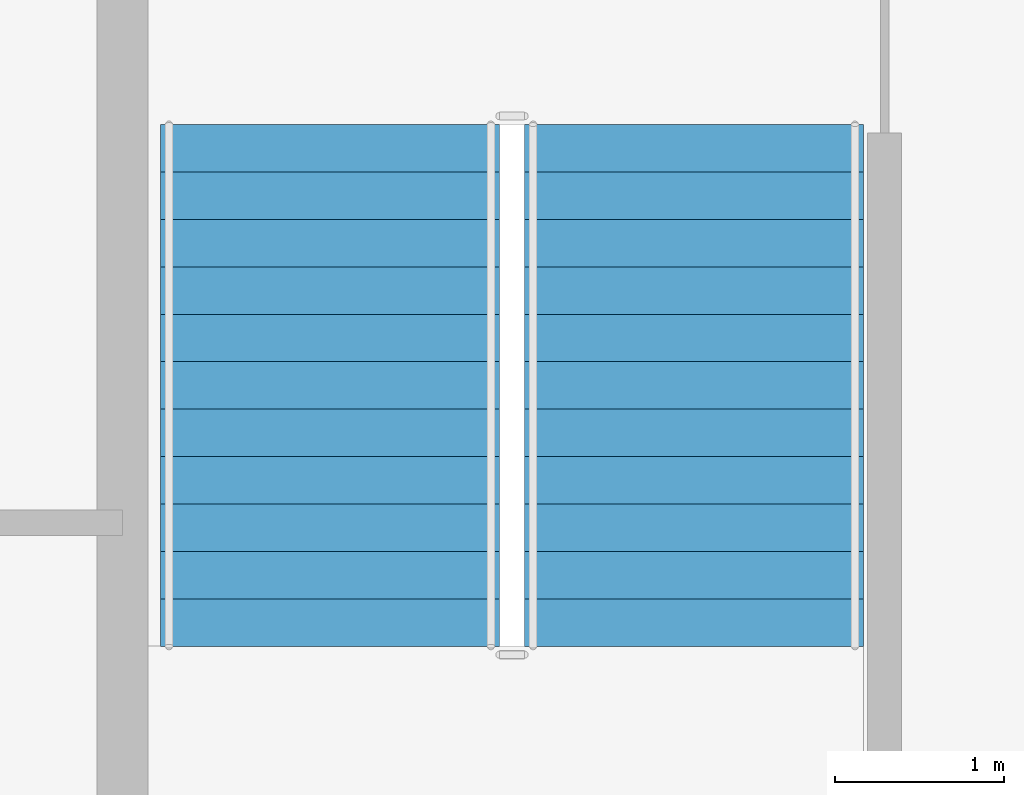
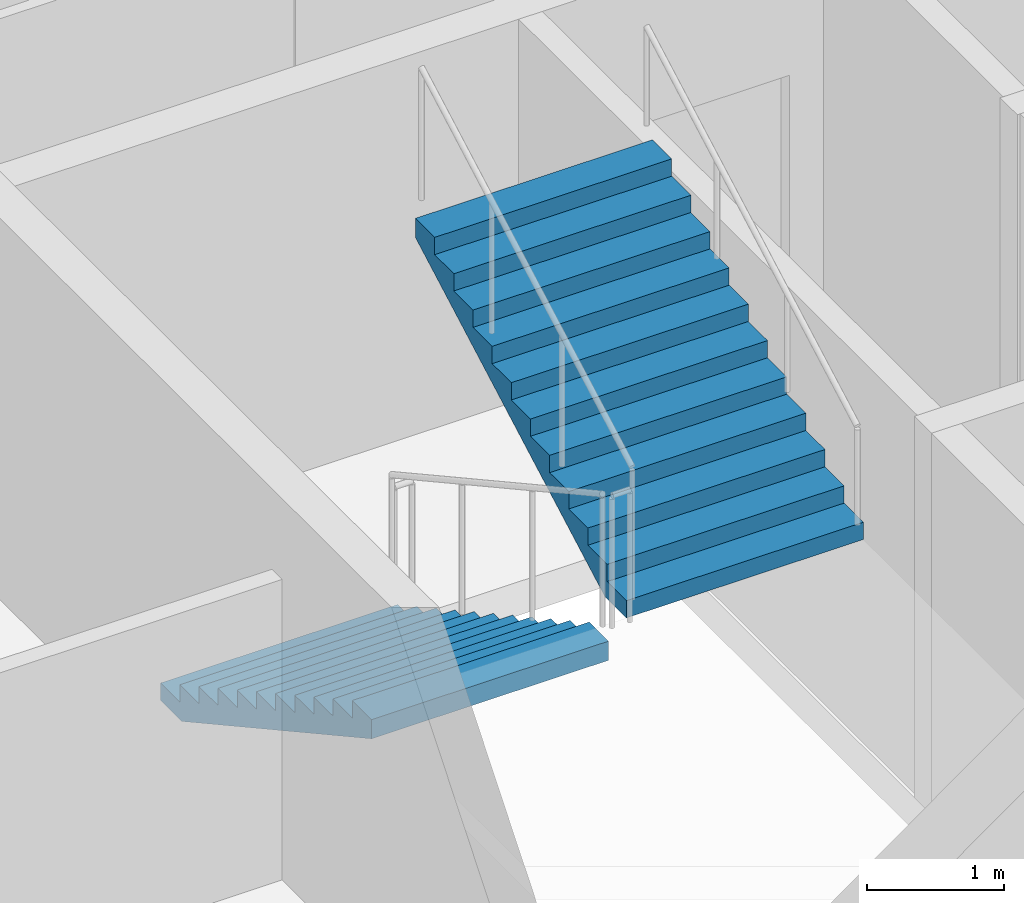
# One storey, part 8 of 12: 2 stair flights, 1 element without a shape of its own.
"""IFC4 building model written with IfcOpenShell, lengths in metres."""

from ifc_helpers import new_model, si_unit, direction, frame, origin, place, context, subcontext, project, spatial, polygons, material, type_object, element, aggregate, save


model = new_model("IFC4")

# Units and contexts
model_context = context("Model", 3, precision=1e-05, world=origin(), true_north=direction((0.0, 1.0)))
body_context = subcontext(model_context, "Body", "Model", "MODEL_VIEW")
ifc_project = project(units=[si_unit("LENGTHUNIT", "METRE"), si_unit("AREAUNIT", "SQUARE_METRE"), si_unit("VOLUMEUNIT", "CUBIC_METRE"), si_unit("PLANEANGLEUNIT", "RADIAN"), si_unit("MASSUNIT", "GRAM", prefix="KILO")], contexts=[model_context])

# Site, building, storey
site_placement = place(None, origin())
site = spatial("IfcSite", under=ifc_project, at=site_placement, CompositionType="ELEMENT")
building_placement = place(site_placement, origin())
building = spatial("IfcBuilding", under=site, at=building_placement, Name="Caravel Reach Hotel and Residences", CompositionType="ELEMENT")
storey_placement = place(building_placement, frame((0.0, 0.0, 241.60009765625)))
storey = spatial("IfcBuildingStorey", under=building, at=storey_placement, Name="L61", CompositionType="ELEMENT", Elevation=241.60009765625)

# Stair, stair flights
ifc_material_1 = material(Name="Concrete C40", Category="concrete")
stair_type = type_object("IfcStairType", Name="Core stair", PredefinedType="HALF_TURN_STAIR", material=ifc_material_1)
stair_placement = place(storey_placement, origin())
stair = element("IfcStair", 1, at=stair_placement, inside=storey, type_object=stair_type, Name="L61 Exit stair A", PredefinedType="HALF_TURN_STAIR")
ifc_material_2 = material(Name="Concrete C40", Category="concrete")
stair_flight_type = type_object("IfcStairFlightType", Name="Core stair flight", PredefinedType="STRAIGHT", material=ifc_material_2)
stair_flight_1_placement = place(storey_placement, frame((19.22509765625, 29.35009765625, 0.0), z_axis=(0.0, 0.0, 1.0), x_axis=(0.0, -1.0, 0.0)))
stair_flight_1 = element("IfcStairFlight", 2, at=stair_flight_1_placement, type_object=stair_flight_type, Name="ST-A flight 1", NumberOfRisers=12, NumberOfTreads=11, PredefinedType="STRAIGHT", RiserHeight=0.154166667, TreadLength=0.28, context=body_context, shape_type="Tessellation", body=[
    polygons([(0.3107950034306102, 1.0, 0.0), (0.3107950034306102, 0.6666666666666667, 0.0), (0.3107950034306102, 0.33333333333333337, 0.0), (0.3107950034306102, 0.0, 0.0), (0.3107950034306102, -0.33333333333333326, 0.0), (0.3107950034306102, -0.6666666666666667, 0.0), (0.3107950034306102, -1.0, 0.0), (3.081, 1.0, 1.524711087717319), (3.081, 0.6666666666666667, 1.524711087717319), (3.081, 0.33333333333333337, 1.524711087717319), (3.081, 0.0, 1.524711087717319), (3.081, -0.33333333333333326, 1.524711087717319), (3.081, -0.6666666666666667, 1.524711087717319), (3.081, -1.0, 1.524711087717319), (3.081, 1.0, 1.695833337), (3.081, 0.6666666666666667, 1.695833337), (3.081, 0.33333333333333337, 1.695833337), (3.081, 0.0, 1.695833337), (3.081, -0.33333333333333326, 1.695833337), (3.081, -0.6666666666666667, 1.695833337), (3.081, -1.0, 1.695833337), (2.8000000000000003, 1.0, 1.695833337), (2.8000000000000003, 0.6666666666666667, 1.695833337), (2.8000000000000003, 0.33333333333333337, 1.695833337), (2.8000000000000003, 0.0, 1.695833337), (2.8000000000000003, -0.33333333333333326, 1.695833337), (2.8000000000000003, -0.6666666666666667, 1.695833337), (2.8000000000000003, -1.0, 1.695833337), (2.8000000000000003, 1.0, 1.5416666700000001), (2.8000000000000003, 0.6666666666666667, 1.5416666700000001), (2.8000000000000003, 0.33333333333333337, 1.5416666700000001), (2.8000000000000003, 0.0, 1.5416666700000001), (2.8000000000000003, -0.33333333333333326, 1.5416666700000001), (2.8000000000000003, -0.6666666666666667, 1.5416666700000001), (2.8000000000000003, -1.0, 1.5416666700000001), (2.5200000000000005, 1.0, 1.5416666700000001), (2.5200000000000005, 0.6666666666666667, 1.5416666700000001), (2.5200000000000005, 0.33333333333333337, 1.5416666700000001), (2.5200000000000005, 0.0, 1.5416666700000001), (2.5200000000000005, -0.33333333333333326, 1.5416666700000001), (2.5200000000000005, -0.6666666666666667, 1.5416666700000001), (2.5200000000000005, -1.0, 1.5416666700000001), (2.5200000000000005, 1.0, 1.387500003), (2.5200000000000005, 0.6666666666666667, 1.387500003), (2.5200000000000005, 0.33333333333333337, 1.387500003), (2.5200000000000005, 0.0, 1.387500003), (2.5200000000000005, -0.33333333333333326, 1.387500003), (2.5200000000000005, -0.6666666666666667, 1.387500003), (2.5200000000000005, -1.0, 1.387500003), (2.24, 1.0, 1.387500003), (2.24, 0.6666666666666667, 1.387500003), (2.24, 0.33333333333333337, 1.387500003), (2.24, 0.0, 1.387500003), (2.24, -0.33333333333333326, 1.387500003), (2.24, -0.6666666666666667, 1.387500003), (2.24, -1.0, 1.387500003), (2.24, 1.0, 1.233333336), (2.24, 0.6666666666666667, 1.233333336), (2.24, 0.33333333333333337, 1.233333336), (2.24, 0.0, 1.233333336), (2.24, -0.33333333333333326, 1.233333336), (2.24, -0.6666666666666667, 1.233333336), (2.24, -1.0, 1.233333336), (1.9600000000000002, 1.0, 1.233333336), (1.9600000000000002, 0.6666666666666667, 1.233333336), (1.9600000000000002, 0.33333333333333337, 1.233333336), (1.9600000000000002, 0.0, 1.233333336), (1.9600000000000002, -0.33333333333333326, 1.233333336), (1.9600000000000002, -0.6666666666666667, 1.233333336), (1.9600000000000002, -1.0, 1.233333336), (1.9600000000000002, 1.0, 1.0791666690000001), (1.9600000000000002, 0.6666666666666667, 1.0791666690000001), (1.9600000000000002, 0.33333333333333337, 1.0791666690000001), (1.9600000000000002, 0.0, 1.0791666690000001), (1.9600000000000002, -0.33333333333333326, 1.0791666690000001), (1.9600000000000002, -0.6666666666666667, 1.0791666690000001), (1.9600000000000002, -1.0, 1.0791666690000001), (1.6800000000000002, 1.0, 1.0791666690000001), (1.6800000000000002, 0.6666666666666667, 1.0791666690000001), (1.6800000000000002, 0.33333333333333337, 1.0791666690000001), (1.6800000000000002, 0.0, 1.0791666690000001), (1.6800000000000002, -0.33333333333333326, 1.0791666690000001), (1.6800000000000002, -0.6666666666666667, 1.0791666690000001), (1.6800000000000002, -1.0, 1.0791666690000001), (1.6800000000000002, 1.0, 0.925000002), (1.6800000000000002, 0.6666666666666667, 0.925000002), (1.6800000000000002, 0.33333333333333337, 0.925000002), (1.6800000000000002, 0.0, 0.925000002), (1.6800000000000002, -0.33333333333333326, 0.925000002), (1.6800000000000002, -0.6666666666666667, 0.925000002), (1.6800000000000002, -1.0, 0.925000002), (1.4000000000000001, 1.0, 0.925000002), (1.4000000000000001, 0.6666666666666667, 0.925000002), (1.4000000000000001, 0.33333333333333337, 0.925000002), (1.4000000000000001, 0.0, 0.925000002), (1.4000000000000001, -0.33333333333333326, 0.925000002), (1.4000000000000001, -0.6666666666666667, 0.925000002), (1.4000000000000001, -1.0, 0.925000002), (1.4000000000000001, 1.0, 0.7708333350000001), (1.4000000000000001, 0.6666666666666667, 0.7708333350000001), (1.4000000000000001, 0.33333333333333337, 0.7708333350000001), (1.4000000000000001, 0.0, 0.7708333350000001), (1.4000000000000001, -0.33333333333333326, 0.7708333350000001), (1.4000000000000001, -0.6666666666666667, 0.7708333350000001), (1.4000000000000001, -1.0, 0.7708333350000001), (1.12, 1.0, 0.7708333350000001), (1.12, 0.6666666666666667, 0.7708333350000001), (1.12, 0.33333333333333337, 0.7708333350000001), (1.12, 0.0, 0.7708333350000001), (1.12, -0.33333333333333326, 0.7708333350000001), (1.12, -0.6666666666666667, 0.7708333350000001), (1.12, -1.0, 0.7708333350000001), (1.12, 1.0, 0.616666668), (1.12, 0.6666666666666667, 0.616666668), (1.12, 0.33333333333333337, 0.616666668), (1.12, 0.0, 0.616666668), (1.12, -0.33333333333333326, 0.616666668), (1.12, -0.6666666666666667, 0.616666668), (1.12, -1.0, 0.616666668), (0.8400000000000001, 1.0, 0.616666668), (0.8400000000000001, 0.6666666666666667, 0.616666668), (0.8400000000000001, 0.33333333333333337, 0.616666668), (0.8400000000000001, 0.0, 0.616666668), (0.8400000000000001, -0.33333333333333326, 0.616666668), (0.8400000000000001, -0.6666666666666667, 0.616666668), (0.8400000000000001, -1.0, 0.616666668), (0.8400000000000001, 1.0, 0.462500001), (0.8400000000000001, 0.6666666666666667, 0.462500001), (0.8400000000000001, 0.33333333333333337, 0.462500001), (0.8400000000000001, 0.0, 0.462500001), (0.8400000000000001, -0.33333333333333326, 0.462500001), (0.8400000000000001, -0.6666666666666667, 0.462500001), (0.8400000000000001, -1.0, 0.462500001), (0.56, 1.0, 0.462500001), (0.56, 0.6666666666666667, 0.462500001), (0.56, 0.33333333333333337, 0.462500001), (0.56, 0.0, 0.462500001), (0.56, -0.33333333333333326, 0.462500001), (0.56, -0.6666666666666667, 0.462500001), (0.56, -1.0, 0.462500001), (0.56, 1.0, 0.308333334), (0.56, 0.6666666666666667, 0.308333334), (0.56, 0.33333333333333337, 0.308333334), (0.56, 0.0, 0.308333334), (0.56, -0.33333333333333326, 0.308333334), (0.56, -0.6666666666666667, 0.308333334), (0.56, -1.0, 0.308333334), (0.28, 1.0, 0.308333334), (0.28, 0.6666666666666667, 0.308333334), (0.28, 0.33333333333333337, 0.308333334), (0.28, 0.0, 0.308333334), (0.28, -0.33333333333333326, 0.308333334), (0.28, -0.6666666666666667, 0.308333334), (0.28, -1.0, 0.308333334), (0.28, 1.0, 0.154166667), (0.28, 0.6666666666666667, 0.154166667), (0.28, 0.33333333333333337, 0.154166667), (0.28, 0.0, 0.154166667), (0.28, -0.33333333333333326, 0.154166667), (0.28, -0.6666666666666667, 0.154166667), (0.28, -1.0, 0.154166667), (-0.001, 1.0, 0.154166667), (-0.001, 0.6666666666666667, 0.154166667), (-0.001, 0.33333333333333337, 0.154166667), (-0.001, 0.0, 0.154166667), (-0.001, -0.33333333333333326, 0.154166667), (-0.001, -0.6666666666666667, 0.154166667), (-0.001, -1.0, 0.154166667), (-0.001, 1.0, 0.0), (-0.001, 0.6666666666666667, 0.0), (-0.001, 0.33333333333333337, 0.0), (-0.001, 0.0, 0.0), (-0.001, -0.33333333333333326, 0.0), (-0.001, -0.6666666666666667, 0.0), (-0.001, -1.0, 0.0)], [[[169, 162, 155, 148, 141, 134, 127, 120, 113, 106, 99, 92, 85, 78, 71, 64, 57, 50, 43, 36, 29, 22, 15, 8, 1]], [[7, 14, 21, 28, 35, 42, 49, 56, 63, 70, 77, 84, 91, 98, 105, 112, 119, 126, 133, 140, 147, 154, 161, 168, 175]], [[1, 8, 9, 2]], [[2, 9, 10, 3]], [[3, 10, 11, 4]], [[4, 11, 12, 5]], [[5, 12, 13, 6]], [[6, 13, 14, 7]], [[8, 15, 16, 9]], [[9, 16, 17, 10]], [[10, 17, 18, 11]], [[11, 18, 19, 12]], [[12, 19, 20, 13]], [[13, 20, 21, 14]], [[15, 22, 23, 16]], [[16, 23, 24, 17]], [[17, 24, 25, 18]], [[18, 25, 26, 19]], [[19, 26, 27, 20]], [[20, 27, 28, 21]], [[22, 29, 30, 23]], [[23, 30, 31, 24]], [[24, 31, 32, 25]], [[25, 32, 33, 26]], [[26, 33, 34, 27]], [[27, 34, 35, 28]], [[29, 36, 37, 30]], [[30, 37, 38, 31]], [[31, 38, 39, 32]], [[32, 39, 40, 33]], [[33, 40, 41, 34]], [[34, 41, 42, 35]], [[36, 43, 44, 37]], [[37, 44, 45, 38]], [[38, 45, 46, 39]], [[39, 46, 47, 40]], [[40, 47, 48, 41]], [[41, 48, 49, 42]], [[43, 50, 51, 44]], [[44, 51, 52, 45]], [[45, 52, 53, 46]], [[46, 53, 54, 47]], [[47, 54, 55, 48]], [[48, 55, 56, 49]], [[50, 57, 58, 51]], [[51, 58, 59, 52]], [[52, 59, 60, 53]], [[53, 60, 61, 54]], [[54, 61, 62, 55]], [[55, 62, 63, 56]], [[57, 64, 65, 58]], [[58, 65, 66, 59]], [[59, 66, 67, 60]], [[60, 67, 68, 61]], [[61, 68, 69, 62]], [[62, 69, 70, 63]], [[64, 71, 72, 65]], [[65, 72, 73, 66]], [[66, 73, 74, 67]], [[67, 74, 75, 68]], [[68, 75, 76, 69]], [[69, 76, 77, 70]], [[71, 78, 79, 72]], [[72, 79, 80, 73]], [[73, 80, 81, 74]], [[74, 81, 82, 75]], [[75, 82, 83, 76]], [[76, 83, 84, 77]], [[78, 85, 86, 79]], [[79, 86, 87, 80]], [[80, 87, 88, 81]], [[81, 88, 89, 82]], [[82, 89, 90, 83]], [[83, 90, 91, 84]], [[85, 92, 93, 86]], [[86, 93, 94, 87]], [[87, 94, 95, 88]], [[88, 95, 96, 89]], [[89, 96, 97, 90]], [[90, 97, 98, 91]], [[92, 99, 100, 93]], [[93, 100, 101, 94]], [[94, 101, 102, 95]], [[95, 102, 103, 96]], [[96, 103, 104, 97]], [[97, 104, 105, 98]], [[99, 106, 107, 100]], [[100, 107, 108, 101]], [[101, 108, 109, 102]], [[102, 109, 110, 103]], [[103, 110, 111, 104]], [[104, 111, 112, 105]], [[106, 113, 114, 107]], [[107, 114, 115, 108]], [[108, 115, 116, 109]], [[109, 116, 117, 110]], [[110, 117, 118, 111]], [[111, 118, 119, 112]], [[113, 120, 121, 114]], [[114, 121, 122, 115]], [[115, 122, 123, 116]], [[116, 123, 124, 117]], [[117, 124, 125, 118]], [[118, 125, 126, 119]], [[120, 127, 128, 121]], [[121, 128, 129, 122]], [[122, 129, 130, 123]], [[123, 130, 131, 124]], [[124, 131, 132, 125]], [[125, 132, 133, 126]], [[127, 134, 135, 128]], [[128, 135, 136, 129]], [[129, 136, 137, 130]], [[130, 137, 138, 131]], [[131, 138, 139, 132]], [[132, 139, 140, 133]], [[134, 141, 142, 135]], [[135, 142, 143, 136]], [[136, 143, 144, 137]], [[137, 144, 145, 138]], [[138, 145, 146, 139]], [[139, 146, 147, 140]], [[141, 148, 149, 142]], [[142, 149, 150, 143]], [[143, 150, 151, 144]], [[144, 151, 152, 145]], [[145, 152, 153, 146]], [[146, 153, 154, 147]], [[148, 155, 156, 149]], [[149, 156, 157, 150]], [[150, 157, 158, 151]], [[151, 158, 159, 152]], [[152, 159, 160, 153]], [[153, 160, 161, 154]], [[155, 162, 163, 156]], [[156, 163, 164, 157]], [[157, 164, 165, 158]], [[158, 165, 166, 159]], [[159, 166, 167, 160]], [[160, 167, 168, 161]], [[162, 169, 170, 163]], [[163, 170, 171, 164]], [[164, 171, 172, 165]], [[165, 172, 173, 166]], [[166, 173, 174, 167]], [[167, 174, 175, 168]], [[169, 1, 2, 170]], [[170, 2, 3, 171]], [[171, 3, 4, 172]], [[172, 4, 5, 173]], [[173, 5, 6, 174]], [[174, 6, 7, 175]]], closed=True),
])
stair_flight_2_placement = place(storey_placement, frame((21.375, 26.27001953125, 1.849853515625), z_axis=(0.0, 0.0, 1.0), x_axis=(0.0, 1.0, 0.0)))
stair_flight_2 = element("IfcStairFlight", 3, at=stair_flight_2_placement, type_object=stair_flight_type, Name="ST-A flight 2", NumberOfRisers=12, NumberOfTreads=11, PredefinedType="STRAIGHT", RiserHeight=0.154166667, TreadLength=0.28, context=body_context, shape_type="Tessellation", body=[
    polygons([(0.3107950034306102, 1.0, 0.0), (0.3107950034306102, 0.6666666666666667, 0.0), (0.3107950034306102, 0.33333333333333337, 0.0), (0.3107950034306102, 0.0, 0.0), (0.3107950034306102, -0.33333333333333326, 0.0), (0.3107950034306102, -0.6666666666666667, 0.0), (0.3107950034306102, -1.0, 0.0), (3.081, 1.0, 1.524711087717319), (3.081, 0.6666666666666667, 1.524711087717319), (3.081, 0.33333333333333337, 1.524711087717319), (3.081, 0.0, 1.524711087717319), (3.081, -0.33333333333333326, 1.524711087717319), (3.081, -0.6666666666666667, 1.524711087717319), (3.081, -1.0, 1.524711087717319), (3.081, 1.0, 1.695833337), (3.081, 0.6666666666666667, 1.695833337), (3.081, 0.33333333333333337, 1.695833337), (3.081, 0.0, 1.695833337), (3.081, -0.33333333333333326, 1.695833337), (3.081, -0.6666666666666667, 1.695833337), (3.081, -1.0, 1.695833337), (2.8000000000000003, 1.0, 1.695833337), (2.8000000000000003, 0.6666666666666667, 1.695833337), (2.8000000000000003, 0.33333333333333337, 1.695833337), (2.8000000000000003, 0.0, 1.695833337), (2.8000000000000003, -0.33333333333333326, 1.695833337), (2.8000000000000003, -0.6666666666666667, 1.695833337), (2.8000000000000003, -1.0, 1.695833337), (2.8000000000000003, 1.0, 1.5416666700000001), (2.8000000000000003, 0.6666666666666667, 1.5416666700000001), (2.8000000000000003, 0.33333333333333337, 1.5416666700000001), (2.8000000000000003, 0.0, 1.5416666700000001), (2.8000000000000003, -0.33333333333333326, 1.5416666700000001), (2.8000000000000003, -0.6666666666666667, 1.5416666700000001), (2.8000000000000003, -1.0, 1.5416666700000001), (2.5200000000000005, 1.0, 1.5416666700000001), (2.5200000000000005, 0.6666666666666667, 1.5416666700000001), (2.5200000000000005, 0.33333333333333337, 1.5416666700000001), (2.5200000000000005, 0.0, 1.5416666700000001), (2.5200000000000005, -0.33333333333333326, 1.5416666700000001), (2.5200000000000005, -0.6666666666666667, 1.5416666700000001), (2.5200000000000005, -1.0, 1.5416666700000001), (2.5200000000000005, 1.0, 1.387500003), (2.5200000000000005, 0.6666666666666667, 1.387500003), (2.5200000000000005, 0.33333333333333337, 1.387500003), (2.5200000000000005, 0.0, 1.387500003), (2.5200000000000005, -0.33333333333333326, 1.387500003), (2.5200000000000005, -0.6666666666666667, 1.387500003), (2.5200000000000005, -1.0, 1.387500003), (2.24, 1.0, 1.387500003), (2.24, 0.6666666666666667, 1.387500003), (2.24, 0.33333333333333337, 1.387500003), (2.24, 0.0, 1.387500003), (2.24, -0.33333333333333326, 1.387500003), (2.24, -0.6666666666666667, 1.387500003), (2.24, -1.0, 1.387500003), (2.24, 1.0, 1.233333336), (2.24, 0.6666666666666667, 1.233333336), (2.24, 0.33333333333333337, 1.233333336), (2.24, 0.0, 1.233333336), (2.24, -0.33333333333333326, 1.233333336), (2.24, -0.6666666666666667, 1.233333336), (2.24, -1.0, 1.233333336), (1.9600000000000002, 1.0, 1.233333336), (1.9600000000000002, 0.6666666666666667, 1.233333336), (1.9600000000000002, 0.33333333333333337, 1.233333336), (1.9600000000000002, 0.0, 1.233333336), (1.9600000000000002, -0.33333333333333326, 1.233333336), (1.9600000000000002, -0.6666666666666667, 1.233333336), (1.9600000000000002, -1.0, 1.233333336), (1.9600000000000002, 1.0, 1.0791666690000001), (1.9600000000000002, 0.6666666666666667, 1.0791666690000001), (1.9600000000000002, 0.33333333333333337, 1.0791666690000001), (1.9600000000000002, 0.0, 1.0791666690000001), (1.9600000000000002, -0.33333333333333326, 1.0791666690000001), (1.9600000000000002, -0.6666666666666667, 1.0791666690000001), (1.9600000000000002, -1.0, 1.0791666690000001), (1.6800000000000002, 1.0, 1.0791666690000001), (1.6800000000000002, 0.6666666666666667, 1.0791666690000001), (1.6800000000000002, 0.33333333333333337, 1.0791666690000001), (1.6800000000000002, 0.0, 1.0791666690000001), (1.6800000000000002, -0.33333333333333326, 1.0791666690000001), (1.6800000000000002, -0.6666666666666667, 1.0791666690000001), (1.6800000000000002, -1.0, 1.0791666690000001), (1.6800000000000002, 1.0, 0.925000002), (1.6800000000000002, 0.6666666666666667, 0.925000002), (1.6800000000000002, 0.33333333333333337, 0.925000002), (1.6800000000000002, 0.0, 0.925000002), (1.6800000000000002, -0.33333333333333326, 0.925000002), (1.6800000000000002, -0.6666666666666667, 0.925000002), (1.6800000000000002, -1.0, 0.925000002), (1.4000000000000001, 1.0, 0.925000002), (1.4000000000000001, 0.6666666666666667, 0.925000002), (1.4000000000000001, 0.33333333333333337, 0.925000002), (1.4000000000000001, 0.0, 0.925000002), (1.4000000000000001, -0.33333333333333326, 0.925000002), (1.4000000000000001, -0.6666666666666667, 0.925000002), (1.4000000000000001, -1.0, 0.925000002), (1.4000000000000001, 1.0, 0.7708333350000001), (1.4000000000000001, 0.6666666666666667, 0.7708333350000001), (1.4000000000000001, 0.33333333333333337, 0.7708333350000001), (1.4000000000000001, 0.0, 0.7708333350000001), (1.4000000000000001, -0.33333333333333326, 0.7708333350000001), (1.4000000000000001, -0.6666666666666667, 0.7708333350000001), (1.4000000000000001, -1.0, 0.7708333350000001), (1.12, 1.0, 0.7708333350000001), (1.12, 0.6666666666666667, 0.7708333350000001), (1.12, 0.33333333333333337, 0.7708333350000001), (1.12, 0.0, 0.7708333350000001), (1.12, -0.33333333333333326, 0.7708333350000001), (1.12, -0.6666666666666667, 0.7708333350000001), (1.12, -1.0, 0.7708333350000001), (1.12, 1.0, 0.616666668), (1.12, 0.6666666666666667, 0.616666668), (1.12, 0.33333333333333337, 0.616666668), (1.12, 0.0, 0.616666668), (1.12, -0.33333333333333326, 0.616666668), (1.12, -0.6666666666666667, 0.616666668), (1.12, -1.0, 0.616666668), (0.8400000000000001, 1.0, 0.616666668), (0.8400000000000001, 0.6666666666666667, 0.616666668), (0.8400000000000001, 0.33333333333333337, 0.616666668), (0.8400000000000001, 0.0, 0.616666668), (0.8400000000000001, -0.33333333333333326, 0.616666668), (0.8400000000000001, -0.6666666666666667, 0.616666668), (0.8400000000000001, -1.0, 0.616666668), (0.8400000000000001, 1.0, 0.462500001), (0.8400000000000001, 0.6666666666666667, 0.462500001), (0.8400000000000001, 0.33333333333333337, 0.462500001), (0.8400000000000001, 0.0, 0.462500001), (0.8400000000000001, -0.33333333333333326, 0.462500001), (0.8400000000000001, -0.6666666666666667, 0.462500001), (0.8400000000000001, -1.0, 0.462500001), (0.56, 1.0, 0.462500001), (0.56, 0.6666666666666667, 0.462500001), (0.56, 0.33333333333333337, 0.462500001), (0.56, 0.0, 0.462500001), (0.56, -0.33333333333333326, 0.462500001), (0.56, -0.6666666666666667, 0.462500001), (0.56, -1.0, 0.462500001), (0.56, 1.0, 0.308333334), (0.56, 0.6666666666666667, 0.308333334), (0.56, 0.33333333333333337, 0.308333334), (0.56, 0.0, 0.308333334), (0.56, -0.33333333333333326, 0.308333334), (0.56, -0.6666666666666667, 0.308333334), (0.56, -1.0, 0.308333334), (0.28, 1.0, 0.308333334), (0.28, 0.6666666666666667, 0.308333334), (0.28, 0.33333333333333337, 0.308333334), (0.28, 0.0, 0.308333334), (0.28, -0.33333333333333326, 0.308333334), (0.28, -0.6666666666666667, 0.308333334), (0.28, -1.0, 0.308333334), (0.28, 1.0, 0.154166667), (0.28, 0.6666666666666667, 0.154166667), (0.28, 0.33333333333333337, 0.154166667), (0.28, 0.0, 0.154166667), (0.28, -0.33333333333333326, 0.154166667), (0.28, -0.6666666666666667, 0.154166667), (0.28, -1.0, 0.154166667), (-0.001, 1.0, 0.154166667), (-0.001, 0.6666666666666667, 0.154166667), (-0.001, 0.33333333333333337, 0.154166667), (-0.001, 0.0, 0.154166667), (-0.001, -0.33333333333333326, 0.154166667), (-0.001, -0.6666666666666667, 0.154166667), (-0.001, -1.0, 0.154166667), (-0.001, 1.0, 0.0), (-0.001, 0.6666666666666667, 0.0), (-0.001, 0.33333333333333337, 0.0), (-0.001, 0.0, 0.0), (-0.001, -0.33333333333333326, 0.0), (-0.001, -0.6666666666666667, 0.0), (-0.001, -1.0, 0.0)], [[[169, 162, 155, 148, 141, 134, 127, 120, 113, 106, 99, 92, 85, 78, 71, 64, 57, 50, 43, 36, 29, 22, 15, 8, 1]], [[7, 14, 21, 28, 35, 42, 49, 56, 63, 70, 77, 84, 91, 98, 105, 112, 119, 126, 133, 140, 147, 154, 161, 168, 175]], [[1, 8, 9, 2]], [[2, 9, 10, 3]], [[3, 10, 11, 4]], [[4, 11, 12, 5]], [[5, 12, 13, 6]], [[6, 13, 14, 7]], [[8, 15, 16, 9]], [[9, 16, 17, 10]], [[10, 17, 18, 11]], [[11, 18, 19, 12]], [[12, 19, 20, 13]], [[13, 20, 21, 14]], [[15, 22, 23, 16]], [[16, 23, 24, 17]], [[17, 24, 25, 18]], [[18, 25, 26, 19]], [[19, 26, 27, 20]], [[20, 27, 28, 21]], [[22, 29, 30, 23]], [[23, 30, 31, 24]], [[24, 31, 32, 25]], [[25, 32, 33, 26]], [[26, 33, 34, 27]], [[27, 34, 35, 28]], [[29, 36, 37, 30]], [[30, 37, 38, 31]], [[31, 38, 39, 32]], [[32, 39, 40, 33]], [[33, 40, 41, 34]], [[34, 41, 42, 35]], [[36, 43, 44, 37]], [[37, 44, 45, 38]], [[38, 45, 46, 39]], [[39, 46, 47, 40]], [[40, 47, 48, 41]], [[41, 48, 49, 42]], [[43, 50, 51, 44]], [[44, 51, 52, 45]], [[45, 52, 53, 46]], [[46, 53, 54, 47]], [[47, 54, 55, 48]], [[48, 55, 56, 49]], [[50, 57, 58, 51]], [[51, 58, 59, 52]], [[52, 59, 60, 53]], [[53, 60, 61, 54]], [[54, 61, 62, 55]], [[55, 62, 63, 56]], [[57, 64, 65, 58]], [[58, 65, 66, 59]], [[59, 66, 67, 60]], [[60, 67, 68, 61]], [[61, 68, 69, 62]], [[62, 69, 70, 63]], [[64, 71, 72, 65]], [[65, 72, 73, 66]], [[66, 73, 74, 67]], [[67, 74, 75, 68]], [[68, 75, 76, 69]], [[69, 76, 77, 70]], [[71, 78, 79, 72]], [[72, 79, 80, 73]], [[73, 80, 81, 74]], [[74, 81, 82, 75]], [[75, 82, 83, 76]], [[76, 83, 84, 77]], [[78, 85, 86, 79]], [[79, 86, 87, 80]], [[80, 87, 88, 81]], [[81, 88, 89, 82]], [[82, 89, 90, 83]], [[83, 90, 91, 84]], [[85, 92, 93, 86]], [[86, 93, 94, 87]], [[87, 94, 95, 88]], [[88, 95, 96, 89]], [[89, 96, 97, 90]], [[90, 97, 98, 91]], [[92, 99, 100, 93]], [[93, 100, 101, 94]], [[94, 101, 102, 95]], [[95, 102, 103, 96]], [[96, 103, 104, 97]], [[97, 104, 105, 98]], [[99, 106, 107, 100]], [[100, 107, 108, 101]], [[101, 108, 109, 102]], [[102, 109, 110, 103]], [[103, 110, 111, 104]], [[104, 111, 112, 105]], [[106, 113, 114, 107]], [[107, 114, 115, 108]], [[108, 115, 116, 109]], [[109, 116, 117, 110]], [[110, 117, 118, 111]], [[111, 118, 119, 112]], [[113, 120, 121, 114]], [[114, 121, 122, 115]], [[115, 122, 123, 116]], [[116, 123, 124, 117]], [[117, 124, 125, 118]], [[118, 125, 126, 119]], [[120, 127, 128, 121]], [[121, 128, 129, 122]], [[122, 129, 130, 123]], [[123, 130, 131, 124]], [[124, 131, 132, 125]], [[125, 132, 133, 126]], [[127, 134, 135, 128]], [[128, 135, 136, 129]], [[129, 136, 137, 130]], [[130, 137, 138, 131]], [[131, 138, 139, 132]], [[132, 139, 140, 133]], [[134, 141, 142, 135]], [[135, 142, 143, 136]], [[136, 143, 144, 137]], [[137, 144, 145, 138]], [[138, 145, 146, 139]], [[139, 146, 147, 140]], [[141, 148, 149, 142]], [[142, 149, 150, 143]], [[143, 150, 151, 144]], [[144, 151, 152, 145]], [[145, 152, 153, 146]], [[146, 153, 154, 147]], [[148, 155, 156, 149]], [[149, 156, 157, 150]], [[150, 157, 158, 151]], [[151, 158, 159, 152]], [[152, 159, 160, 153]], [[153, 160, 161, 154]], [[155, 162, 163, 156]], [[156, 163, 164, 157]], [[157, 164, 165, 158]], [[158, 165, 166, 159]], [[159, 166, 167, 160]], [[160, 167, 168, 161]], [[162, 169, 170, 163]], [[163, 170, 171, 164]], [[164, 171, 172, 165]], [[165, 172, 173, 166]], [[166, 173, 174, 167]], [[167, 174, 175, 168]], [[169, 1, 2, 170]], [[170, 2, 3, 171]], [[171, 3, 4, 172]], [[172, 4, 5, 173]], [[173, 5, 6, 174]], [[174, 6, 7, 175]]], closed=True),
])
aggregate(stair, [stair_flight_1, stair_flight_2])

save(model, "model.ifc")
